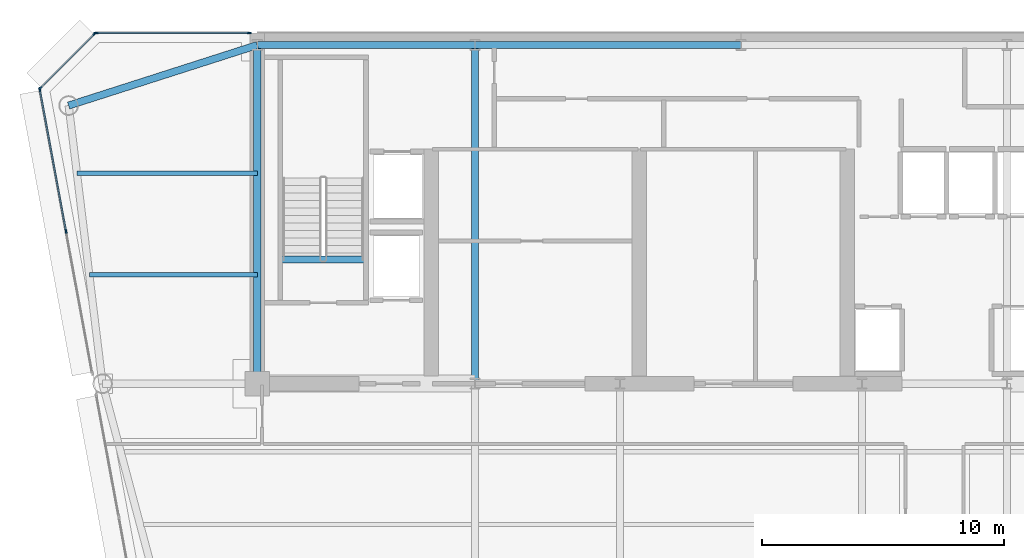
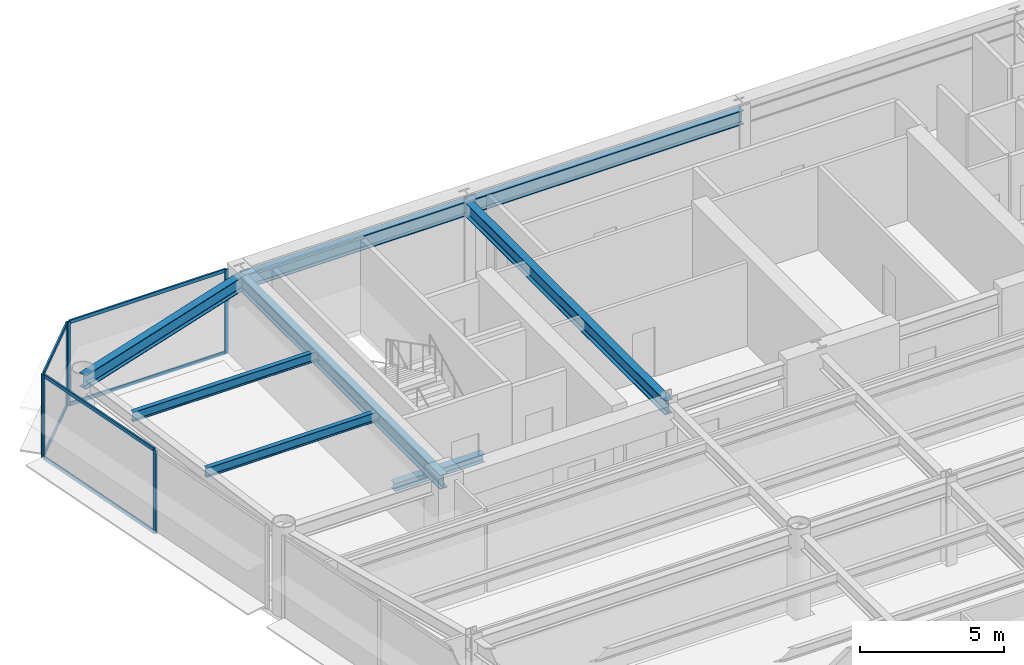
# One storey, part 8 of 17: 12 members, 8 beams, 3 elements without a shape of their own.
"""IFC4 building model written with IfcOpenShell, lengths in metres."""

from ifc_helpers import new_model, si_unit, direction, frame, origin, origin_2d, place, context, subcontext, project, spatial, rectangle, i_section, extrude, source, transform, mapped, material, layer, layer_set, material_profile, profile_set, type_object, element, aggregate, save


model = new_model("IFC4")

# Units and contexts
model_context = context("Model", 3, precision=1e-05, world=origin(), true_north=direction((0.0, 1.0)))
body_context = subcontext(model_context, "Body", "Model", "MODEL_VIEW")
ifc_project = project(units=[si_unit("LENGTHUNIT", "METRE"), si_unit("AREAUNIT", "SQUARE_METRE"), si_unit("VOLUMEUNIT", "CUBIC_METRE"), si_unit("PLANEANGLEUNIT", "RADIAN"), si_unit("MASSUNIT", "GRAM", prefix="KILO")], contexts=[model_context])

# Site, building, storey
site_placement = place(None, origin())
site = spatial("IfcSite", under=ifc_project, at=site_placement, CompositionType="ELEMENT")
building_placement = place(site_placement, origin())
building = spatial("IfcBuilding", under=site, at=building_placement, Name="Vaeldorn Concourse Tower", CompositionType="ELEMENT")
storey_placement = place(building_placement, frame((0.0, 0.0, 214.60009765625)))
storey = spatial("IfcBuildingStorey", under=building, at=storey_placement, Name="L55", CompositionType="ELEMENT", Elevation=214.60009765625)

# Beams
ifc_material_1 = material(Name="Steel S355", Category="steel")
ifc_material_profile_1 = material_profile(ifc_material_1, i_section(OverallWidth=0.300048828125, OverallDepth=0.340087890625, WebThickness=0.011962890625, FlangeThickness=0.021484375, FilletRadius=0.027099609375, at=origin_2d()), Name="HEB 340")
ifc_profile_set_1 = profile_set([ifc_material_profile_1], Name="Steel S355")
beam_type_1 = type_object("IfcBeamType", Name="BM-ST-TRIM", PredefinedType="BEAM", material=ifc_profile_set_1)
shared_shape_1 = source(origin(), body_context, "Body", "SweptSolid", [
    extrude(i_section(OverallWidth=0.300048828125, OverallDepth=0.340087890625, WebThickness=0.011962890625, FlangeThickness=0.021484375, FilletRadius=0.027099609375, at=origin_2d()), origin(), (0.0, 0.0, 1.0), 3.590087890625),
])
beam_1_placement = place(storey_placement, frame((14.929931640625, 41.639892578125, -0.39013671875), z_axis=(1.0, 0.0, 0.0), x_axis=(0.0, 1.0, 0.0)))
element("IfcBeam", 1, at=beam_1_placement, inside=storey, type_object=beam_type_1, Name="Stair Landing Trimmer Beam ST-1 L55", PredefinedType="BEAM", context=body_context, shape_type="MappedRepresentation", body=[
    mapped(shared_shape_1, transform((0.0, 0.0, 0.0), scale=1.0)),
])
ifc_material_profile_2 = material_profile(ifc_material_1, i_section(OverallWidth=0.300048828125, OverallDepth=0.60009765625, WebThickness=0.015380859375, FlangeThickness=0.030029296875, FilletRadius=0.027099609375, at=origin_2d()), Name="HEB 600")
ifc_profile_set_2 = profile_set([ifc_material_profile_2], Name="Steel S355")
beam_type_2 = type_object("IfcBeamType", Name="BM-PG-HEB600", PredefinedType="BEAM", material=ifc_profile_set_2)
shared_shape_2 = source(origin(), body_context, "Body", "SweptSolid", [
    extrude(i_section(OverallWidth=0.300048828125, OverallDepth=0.60009765625, WebThickness=0.015380859375, FlangeThickness=0.030029296875, FilletRadius=0.027099609375, at=origin_2d()), origin(), (0.0, 0.0, 1.0), 9.0),
])
beam_2_placement = place(storey_placement, frame((14.0, 50.5, 3.239990234375), z_axis=(1.0, 0.0, 0.0), x_axis=(0.0, 1.0, 0.0)))
element("IfcBeam", 2, at=beam_2_placement, inside=storey, type_object=beam_type_2, Name="Beam BM-L55-C-HC1-C-HC2", PredefinedType="BEAM", context=body_context, shape_type="MappedRepresentation", body=[
    mapped(shared_shape_2, transform((0.0, 0.0, 0.0), scale=1.0)),
])
shared_shape_3 = source(origin(), body_context, "Body", "SweptSolid", [
    extrude(i_section(OverallWidth=0.300048828125, OverallDepth=0.60009765625, WebThickness=0.015380859375, FlangeThickness=0.030029296875, FilletRadius=0.027099609375, at=origin_2d()), origin(), (0.0, 0.0, 1.0), 11.0),
])
beam_3_placement = place(storey_placement, frame((23.0, 50.5, 3.239990234375), z_axis=(1.0, 0.0, 0.0), x_axis=(0.0, 1.0, 0.0)))
element("IfcBeam", 3, at=beam_3_placement, inside=storey, type_object=beam_type_2, Name="Beam BM-L55-C-HC2-C-HC3", PredefinedType="BEAM", context=body_context, shape_type="MappedRepresentation", body=[
    mapped(shared_shape_3, transform((0.0, 0.0, 0.0), scale=1.0)),
])
shared_shape_4 = source(origin(), body_context, "Body", "SweptSolid", [
    extrude(i_section(OverallWidth=0.300048828125, OverallDepth=0.60009765625, WebThickness=0.015380859375, FlangeThickness=0.030029296875, FilletRadius=0.027099609375, at=origin_2d()), origin(), (0.0, 0.0, 1.0), 14.0),
])
for number, where, z_axis, x_axis, name in (
    (4, (14.0, 36.5, 3.239990234375), (0.0, 1.0, 0.0), (-1.0, 0.0, 0.0), "Beam BM-L55-C-FC1-C-HC1"),
    (5, (23.0, 36.5, 3.239990234375), (0.0, 1.0, 0.0), (-1.0, 0.0, 0.0), "Beam BM-L55-C-FC2-C-HC2"),
):
    element("IfcBeam", number, at=place(storey_placement, frame(where, z_axis=z_axis, x_axis=x_axis)), inside=storey, type_object=beam_type_2, Name=name, PredefinedType="BEAM", context=body_context, shape_type="MappedRepresentation", body=[
        mapped(shared_shape_4, transform((0.0, 0.0, 0.0), scale=1.0)),
    ])
shared_shape_5 = source(origin(), body_context, "Body", "SweptSolid", [
    extrude(i_section(OverallWidth=0.300048828125, OverallDepth=0.60009765625, WebThickness=0.015380859375, FlangeThickness=0.030029296875, FilletRadius=0.027099609375, at=origin_2d()), origin(), (0.0, 0.0, 1.0), 8.19091796875),
])
beam_4_placement = place(storey_placement, frame((6.199951171875, 48.0, 3.239990234375), z_axis=(0.952282843383, 0.305216949396, 0.0), x_axis=(-0.305216949396, 0.952282843383, 0.0)))
element("IfcBeam", 6, at=beam_4_placement, inside=storey, type_object=beam_type_2, Name="Beam BM-L55-C-NW1-C-HC1", PredefinedType="BEAM", context=body_context, shape_type="MappedRepresentation", body=[
    mapped(shared_shape_5, transform((0.0, 0.0, 0.0), scale=1.0)),
])
ifc_material_profile_3 = material_profile(ifc_material_1, i_section(OverallWidth=0.179931640625, OverallDepth=0.39990234375, WebThickness=0.008544921875, FlangeThickness=0.013427734375, FilletRadius=0.02099609375, at=origin_2d()), Name="IPE 400")
ifc_profile_set_3 = profile_set([ifc_material_profile_3], Name="Steel S355")
beam_type_3 = type_object("IfcBeamType", Name="BM-JS-IPE400", PredefinedType="JOIST", material=ifc_profile_set_3)
shared_shape_6 = source(origin(), body_context, "Body", "SweptSolid", [
    extrude(i_section(OverallWidth=0.179931640625, OverallDepth=0.39990234375, WebThickness=0.008544921875, FlangeThickness=0.013427734375, FilletRadius=0.02099609375, at=origin_2d()), origin(), (0.0, 0.0, 1.0), 6.94775390625),
])
beam_5_placement = place(storey_placement, frame((7.05224609375, 41.0, 3.33984375), z_axis=(1.0, 0.0, 0.0), x_axis=(0.0, 1.0, 0.0)))
element("IfcBeam", 7, at=beam_5_placement, inside=storey, type_object=beam_type_3, Name="Beam JS-L55-NW-410", PredefinedType="JOIST", context=body_context, shape_type="MappedRepresentation", body=[
    mapped(shared_shape_6, transform((0.0, 0.0, 0.0), scale=1.0)),
])
shared_shape_7 = source(origin(), body_context, "Body", "SweptSolid", [
    extrude(i_section(OverallWidth=0.179931640625, OverallDepth=0.39990234375, WebThickness=0.008544921875, FlangeThickness=0.013427734375, FilletRadius=0.02099609375, at=origin_2d()), origin(), (0.0, 0.0, 1.0), 7.458984375),
])
beam_6_placement = place(storey_placement, frame((6.541015625, 45.199951171875, 3.33984375), z_axis=(1.0, 0.0, 0.0), x_axis=(0.0, 1.0, 0.0)))
element("IfcBeam", 8, at=beam_6_placement, inside=storey, type_object=beam_type_3, Name="Beam JS-L55-NW-452", PredefinedType="JOIST", context=body_context, shape_type="MappedRepresentation", body=[
    mapped(shared_shape_7, transform((0.0, 0.0, 0.0), scale=1.0)),
])

# Curtain wall, members
ifc_material_2 = material(Name="Anodised Bronze Aluminium", Category="aluminium")
ifc_layer = layer(ifc_material_2, 0.18994140625)
ifc_layer_set = layer_set([ifc_layer], Name="Anodised Bronze Aluminium")
curtain_wall_type = type_object("IfcCurtainWallType", Name="CW-SYS-03", PredefinedType="NOTDEFINED", material=ifc_layer_set)
curtain_wall_1_placement = place(storey_placement, origin())
curtain_wall_1 = element("IfcCurtainWall", 9, at=curtain_wall_1_placement, inside=storey, type_object=curtain_wall_type, Name="Unitised Curtain Wall CW-L55-E10-1", PredefinedType="NOTDEFINED")
ifc_material_profile_4 = material_profile(ifc_material_2, rectangle(XDim=0.06494140625, YDim=0.14990234375, at=origin_2d()), Name="CWT 65x150")
ifc_profile_set_4 = profile_set([ifc_material_profile_4], Name="Anodised Bronze Aluminium")
member_type_1 = type_object("IfcMemberType", Name="CWT-BRONZE-150", PredefinedType="USERDEFINED", material=ifc_profile_set_4)
shared_shape_8 = source(origin(), body_context, "Body", "SweptSolid", [
    extrude(rectangle(XDim=0.06494140625, YDim=0.14990234375, at=origin_2d()), origin(), (0.0, 0.0, 1.0), 3.123046875),
])
member_1_placement = place(storey_placement, frame((7.254150390625, 50.9541015625, 0.032470703125), z_axis=(-0.707106781187, -0.707106781187, 0.0), x_axis=(0.707106781187, -0.707106781187, 0.0)))
member_1 = element("IfcMember", 10, at=member_1_placement, type_object=member_type_1, Name="CW-03 transom 1.1", ObjectType="TRANSOM", PredefinedType="USERDEFINED", context=body_context, shape_type="MappedRepresentation", body=[
    mapped(shared_shape_8, transform((0.0, 0.0, 0.0), scale=1.0)),
])
member_2_placement = place(storey_placement, frame((7.254150390625, 50.9541015625, 3.50732421875), z_axis=(-0.707106781187, -0.707106781187, 0.0), x_axis=(0.707106781187, -0.707106781187, 0.0)))
member_2 = element("IfcMember", 11, at=member_2_placement, type_object=member_type_1, Name="CW-03 transom 1.2", ObjectType="TRANSOM", PredefinedType="USERDEFINED", context=body_context, shape_type="MappedRepresentation", body=[
    mapped(shared_shape_8, transform((0.0, 0.0, 0.0), scale=1.0)),
])

curtain_wall_2_placement = place(storey_placement, origin())
curtain_wall_2 = element("IfcCurtainWall", 12, at=curtain_wall_2_placement, inside=storey, type_object=curtain_wall_type, Name="Unitised Curtain Wall CW-L55-E09-2", PredefinedType="NOTDEFINED")
shared_shape_9 = source(origin(), body_context, "Body", "SweptSolid", [
    extrude(rectangle(XDim=0.06494140625, YDim=0.14990234375, at=origin_2d()), origin(), (0.0, 0.0, 1.0), 6.27490234375),
])
member_3_placement = place(storey_placement, frame((13.639892578125, 51.0, 0.032470703125), z_axis=(-1.0, 0.0, 0.0), x_axis=(0.0, -1.0, 0.0)))
member_3 = element("IfcMember", 13, at=member_3_placement, type_object=member_type_1, Name="CW-03 transom 1.1", ObjectType="TRANSOM", PredefinedType="USERDEFINED", context=body_context, shape_type="MappedRepresentation", body=[
    mapped(shared_shape_9, transform((0.0, 0.0, 0.0), scale=1.0)),
])
member_4_placement = place(storey_placement, frame((13.639892578125, 51.0, 3.50732421875), z_axis=(-1.0, 0.0, 0.0), x_axis=(0.0, -1.0, 0.0)))
member_4 = element("IfcMember", 14, at=member_4_placement, type_object=member_type_1, Name="CW-03 transom 1.2", ObjectType="TRANSOM", PredefinedType="USERDEFINED", context=body_context, shape_type="MappedRepresentation", body=[
    mapped(shared_shape_9, transform((0.0, 0.0, 0.0), scale=1.0)),
])

curtain_wall_3_placement = place(storey_placement, origin())
curtain_wall_3 = element("IfcCurtainWall", 15, at=curtain_wall_3_placement, inside=storey, type_object=curtain_wall_type, Name="Unitised Curtain Wall CW-L55-E11-1", PredefinedType="NOTDEFINED")
shared_shape_10 = source(origin(), body_context, "Body", "SweptSolid", [
    extrude(rectangle(XDim=0.06494140625, YDim=0.14990234375, at=origin_2d()), origin(), (0.0, 0.0, 1.0), 5.90478515625),
])
member_5_placement = place(storey_placement, frame((5.01171875, 48.635986328125, 0.032470703125), z_axis=(0.181926392545, -0.983312151707, 0.0), x_axis=(0.983312151707, 0.181926392545, 0.0)))
member_5 = element("IfcMember", 16, at=member_5_placement, type_object=member_type_1, Name="CW-03 transom 1.1", ObjectType="TRANSOM", PredefinedType="USERDEFINED", context=body_context, shape_type="MappedRepresentation", body=[
    mapped(shared_shape_10, transform((0.0, 0.0, 0.0), scale=1.0)),
])
member_6_placement = place(storey_placement, frame((5.01171875, 48.635986328125, 3.50732421875), z_axis=(0.181926392545, -0.983312151707, 0.0), x_axis=(0.983312151707, 0.181926392545, 0.0)))
member_6 = element("IfcMember", 17, at=member_6_placement, type_object=member_type_1, Name="CW-03 transom 1.2", ObjectType="TRANSOM", PredefinedType="USERDEFINED", context=body_context, shape_type="MappedRepresentation", body=[
    mapped(shared_shape_10, transform((0.0, 0.0, 0.0), scale=1.0)),
])

# Member
ifc_material_profile_5 = material_profile(ifc_material_2, rectangle(XDim=0.06494140625, YDim=0.169921875, at=origin_2d()), Name="CWM 65x170")
ifc_profile_set_5 = profile_set([ifc_material_profile_5], Name="Anodised Bronze Aluminium")
member_type_2 = type_object("IfcMemberType", Name="CWM-BRONZE-170", PredefinedType="MULLION", material=ifc_profile_set_5)
shared_shape_11 = source(origin(), body_context, "Body", "SweptSolid", [
    extrude(rectangle(XDim=0.06494140625, YDim=0.169921875, at=origin_2d()), origin(), (0.0, 0.0, 1.0), 3.539794921875),
])
member_7_placement = place(storey_placement, frame((13.672607421875, 51.0, 0.0), z_axis=(0.0, 0.0, 1.0), x_axis=(0.0, -1.0, 0.0)))
member_7 = element("IfcMember", 18, at=member_7_placement, type_object=member_type_2, Name="CW-03 mullion 1", PredefinedType="MULLION", context=body_context, shape_type="MappedRepresentation", body=[
    mapped(shared_shape_11, transform((0.0, 0.0, 0.0), scale=1.0)),
])

member_8_placement = place(storey_placement, frame((7.33251953125, 51.0, 0.0), z_axis=(0.0, 0.0, 1.0), x_axis=(0.0, -1.0, 0.0)))
member_8 = element("IfcMember", 19, at=member_8_placement, type_object=member_type_2, Name="CW-03 mullion 2", PredefinedType="MULLION", context=body_context, shape_type="MappedRepresentation", body=[
    mapped(shared_shape_11, transform((0.0, 0.0, 0.0), scale=1.0)),
])

aggregate(curtain_wall_2, [member_7, member_8, member_3, member_4])

member_9_placement = place(storey_placement, frame((7.277099609375, 50.97705078125, 0.0), z_axis=(0.0, 0.0, 1.0), x_axis=(0.707106781187, -0.707106781187, 0.0)))
member_9 = element("IfcMember", 20, at=member_9_placement, type_object=member_type_2, Name="CW-03 mullion 1", PredefinedType="MULLION", context=body_context, shape_type="MappedRepresentation", body=[
    mapped(shared_shape_11, transform((0.0, 0.0, 0.0), scale=1.0)),
])

member_10_placement = place(storey_placement, frame((5.02294921875, 48.722900390625, 0.0), z_axis=(0.0, 0.0, 1.0), x_axis=(0.707106781187, -0.707106781187, 0.0)))
member_10 = element("IfcMember", 21, at=member_10_placement, type_object=member_type_2, Name="CW-03 mullion 2", PredefinedType="MULLION", context=body_context, shape_type="MappedRepresentation", body=[
    mapped(shared_shape_11, transform((0.0, 0.0, 0.0), scale=1.0)),
])

aggregate(curtain_wall_1, [member_9, member_10, member_1, member_2])

member_11_placement = place(storey_placement, frame((5.005859375, 48.66796875, 0.0), z_axis=(0.0, 0.0, 1.0), x_axis=(0.983319270992, 0.181887908602, 0.0)))
member_11 = element("IfcMember", 22, at=member_11_placement, type_object=member_type_2, Name="CW-03 mullion 1", PredefinedType="MULLION", context=body_context, shape_type="MappedRepresentation", body=[
    mapped(shared_shape_11, transform((0.0, 0.0, 0.0), scale=1.0)),
])

member_12_placement = place(storey_placement, frame((6.091796875, 42.7978515625, 0.0), z_axis=(0.0, 0.0, 1.0), x_axis=(0.983319270992, 0.181887908602, 0.0)))
member_12 = element("IfcMember", 23, at=member_12_placement, type_object=member_type_2, Name="CW-03 mullion 2", PredefinedType="MULLION", context=body_context, shape_type="MappedRepresentation", body=[
    mapped(shared_shape_11, transform((0.0, 0.0, 0.0), scale=1.0)),
])

aggregate(curtain_wall_3, [member_11, member_12, member_5, member_6])

save(model, "model.ifc")
